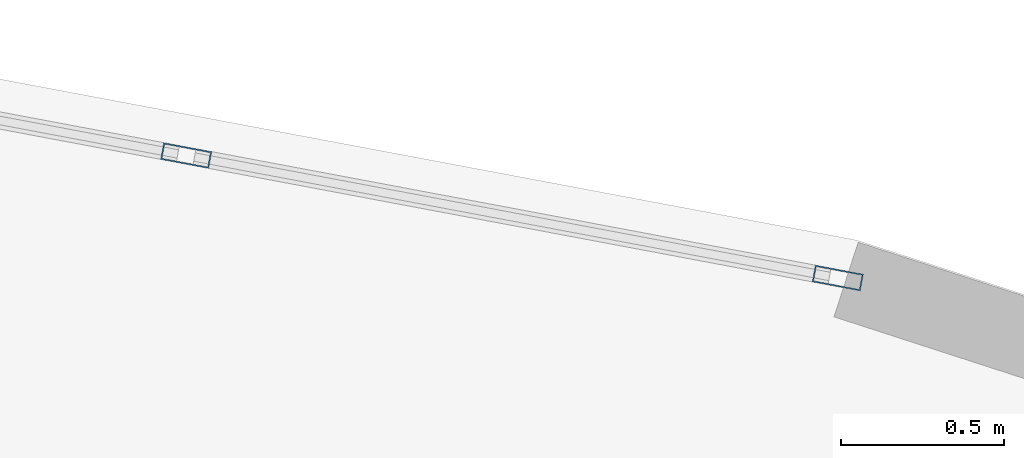
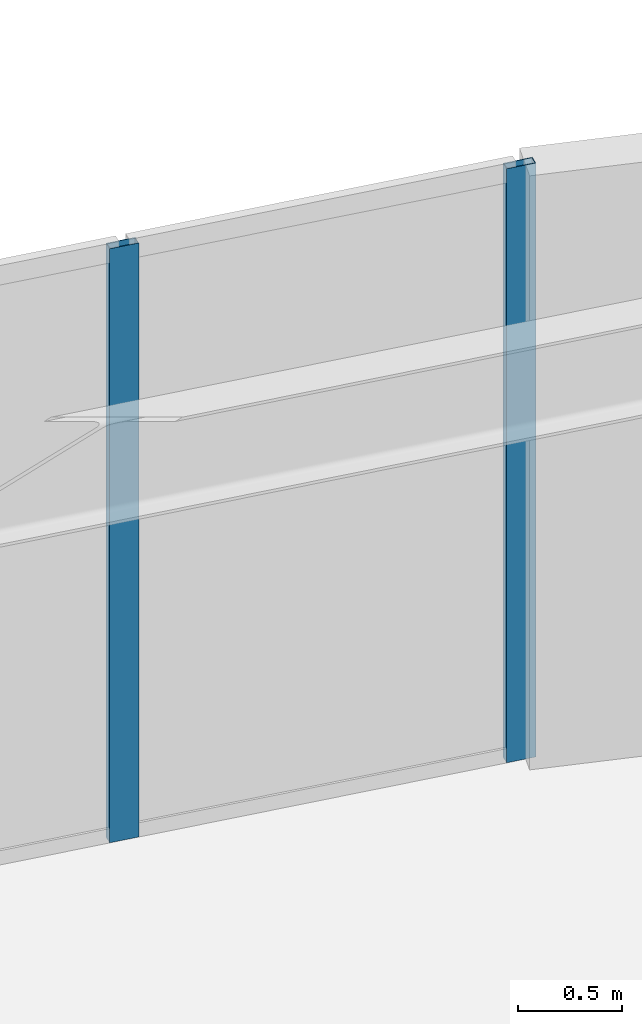
# One storey, part 6 of 20: 2 members, 1 element without a shape of its own.
"""IFC4 building model written with IfcOpenShell, lengths in metres."""

from ifc_helpers import new_model, si_unit, direction, frame, origin, origin_2d, place, context, subcontext, project, spatial, hollow_rectangle, extrude, source, transform, mapped, material, layer, layer_set, material_profile, profile_set, type_object, element, aggregate, save


model = new_model("IFC4")

# Units and contexts
model_context = context("Model", 3, precision=1e-05, world=origin(), true_north=direction((0.0, 1.0)))
body_context = subcontext(model_context, "Body", "Model", "MODEL_VIEW")
ifc_project = project(units=[si_unit("LENGTHUNIT", "METRE"), si_unit("AREAUNIT", "SQUARE_METRE"), si_unit("VOLUMEUNIT", "CUBIC_METRE"), si_unit("PLANEANGLEUNIT", "RADIAN"), si_unit("MASSUNIT", "GRAM", prefix="KILO")], contexts=[model_context])

# Site, building, storey
site_placement = place(None, origin())
site = spatial("IfcSite", under=ifc_project, at=site_placement, CompositionType="ELEMENT")
building_placement = place(site_placement, origin())
building = spatial("IfcBuilding", under=site, at=building_placement, Name="Linh Dai School and Residence Tower", CompositionType="ELEMENT")
storey_placement = place(building_placement, frame((0.0, 0.0, 163.64990234375)))
storey = spatial("IfcBuildingStorey", under=building, at=storey_placement, Name="L39", CompositionType="ELEMENT", Elevation=163.64990234375)

# Curtain wall, members
ifc_material_1 = material(Name="Aluminium Anodised Curtain Wall", Category="aluminium")
ifc_layer = layer(ifc_material_1, 0.14990234375)
ifc_layer_set = layer_set([ifc_layer], Name="Aluminium Anodised Curtain Wall")
curtain_wall_type = type_object("IfcCurtainWallType", Name="CW-SYS-4", PredefinedType="USERDEFINED", material=ifc_layer_set)
curtain_wall_placement = place(storey_placement, origin())
curtain_wall = element("IfcCurtainWall", 1, at=curtain_wall_placement, inside=storey, type_object=curtain_wall_type, Name="L39 CW4 Curtain Wall 09", ObjectType="RIBBON CURTAIN WALL", PredefinedType="USERDEFINED")
ifc_material_2 = material(Name="Aluminium Alloy 6063-T6", Category="aluminium")
ifc_material_profile = material_profile(ifc_material_2, hollow_rectangle(XDim=0.052001953125, YDim=0.14990234375, WallThickness=0.00390625, at=origin_2d()), Name="RHS 150x52x4")
ifc_profile_set = profile_set([ifc_material_profile], Name="Aluminium Alloy 6063-T6")
member_type = type_object("IfcMemberType", Name="CW-SYS-4-MUL", PredefinedType="MULLION", material=ifc_profile_set)
shared_shape = source(origin(), body_context, "Body", "SweptSolid", [
    extrude(hollow_rectangle(XDim=0.052001953125, YDim=0.14990234375, WallThickness=0.00390625, at=origin_2d()), origin(), (0.0, 0.0, 1.0), 3.5),
])
member_1_placement = place(storey_placement, frame((42.16748046875, 47.0693359375, 0.0), z_axis=(0.0, 0.0, 1.0), x_axis=(0.184762540184, 0.982783192645, 0.0)))
member_1 = element("IfcMember", 2, at=member_1_placement, type_object=member_type, Name="CW4 mullion 2", PredefinedType="MULLION", context=body_context, shape_type="MappedRepresentation", body=[
    mapped(shared_shape, transform((0.0, 0.0, 0.0), x_axis=(1.0, 0.0, 0.0), y_axis=(0.0, 1.0, 0.0), z_axis=(0.0, 0.0, 1.0), scale=1.0)),
])
member_2_placement = place(storey_placement, frame((44.16357421875, 46.694091796875, 0.0), z_axis=(0.0, 0.0, 1.0), x_axis=(0.184762540184, 0.982783192645, 0.0)))
member_2 = element("IfcMember", 3, at=member_2_placement, type_object=member_type, Name="CW4 mullion 3", PredefinedType="MULLION", context=body_context, shape_type="MappedRepresentation", body=[
    mapped(shared_shape, transform((0.0, 0.0, 0.0), x_axis=(1.0, 0.0, 0.0), y_axis=(0.0, 1.0, 0.0), z_axis=(0.0, 0.0, 1.0), scale=1.0)),
])
aggregate(curtain_wall, [member_1, member_2])

save(model, "model.ifc")
